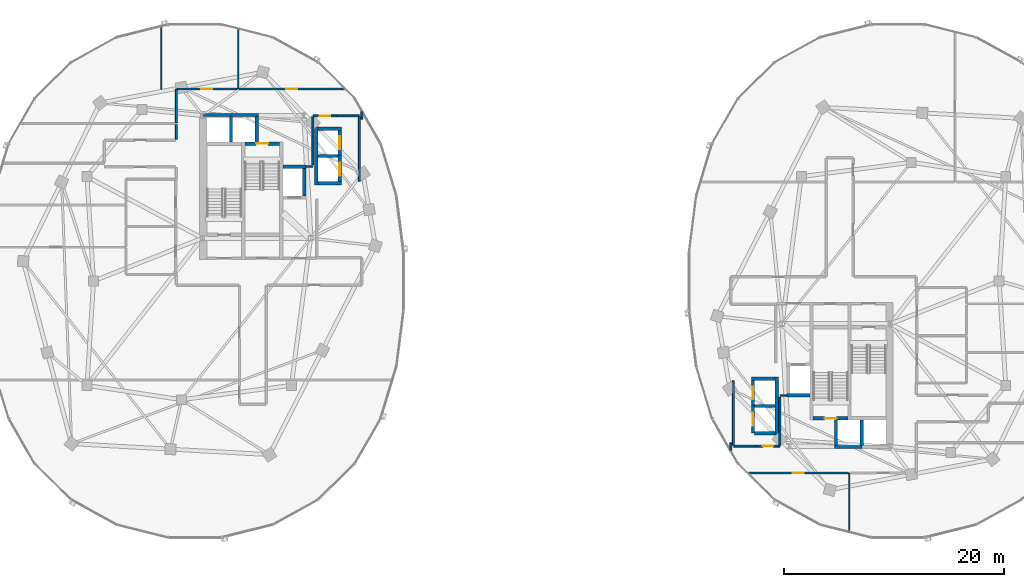
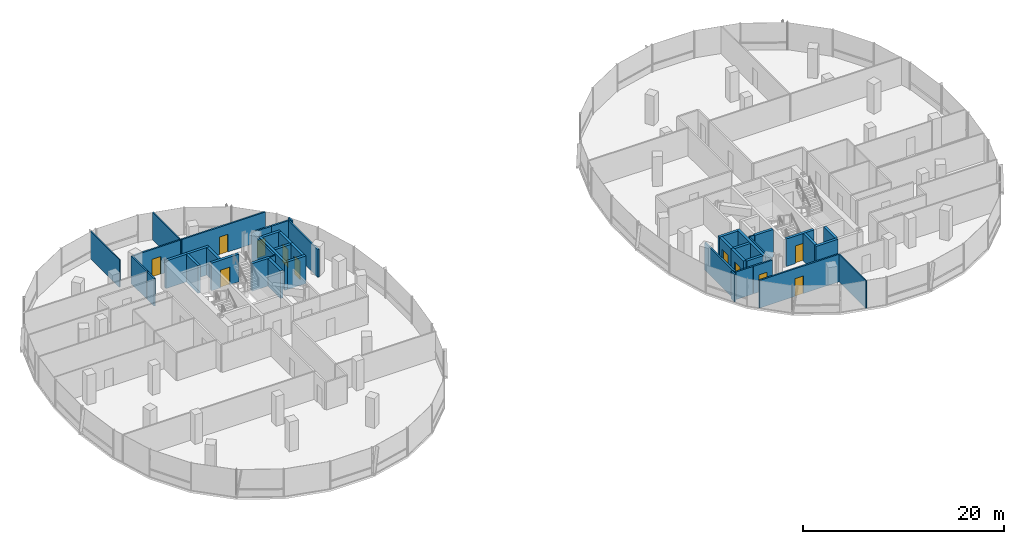
# One storey, part 13 of 22: 44 walls, 11 doors, 11 openings.
"""IFC4 building model written with IfcOpenShell, lengths in metres."""

from ifc_helpers import new_model, si_unit, direction, frame, frame_2d, origin, place, context, subcontext, project, spatial, rectangle, extrude, material, layer, layer_set, type_object, element, fill, save


model = new_model("IFC4")

# Units and contexts
model_context = context("Model", 3, precision=1e-05, world=origin(), true_north=direction((0.0, 1.0)))
body_context = subcontext(model_context, "Body", "Model", "MODEL_VIEW")
ifc_project = project(units=[si_unit("LENGTHUNIT", "METRE"), si_unit("AREAUNIT", "SQUARE_METRE"), si_unit("VOLUMEUNIT", "CUBIC_METRE"), si_unit("PLANEANGLEUNIT", "RADIAN"), si_unit("MASSUNIT", "GRAM", prefix="KILO"), si_unit("THERMODYNAMICTEMPERATUREUNIT", "KELVIN"), si_unit("POWERUNIT", "WATT")], contexts=[model_context])

# Site, building, storey
site_placement = place(None, origin())
site = spatial("IfcSite", under=ifc_project, at=site_placement, CompositionType="ELEMENT")
building_placement = place(site_placement, origin())
building = spatial("IfcBuilding", under=site, at=building_placement, Name="Cundina Bronze Exchange", CompositionType="ELEMENT")
storey_placement = place(building_placement, frame((0.0, 0.0, 147.60009765625)))
storey = spatial("IfcBuildingStorey", under=building, at=storey_placement, Name="L38", CompositionType="ELEMENT", Elevation=147.60009765625)

# Wall
ifc_material_1 = material(Name="Gypsum Fireboard Partition EI120")
ifc_layer_1 = layer(ifc_material_1, 0.179931640625, Name="Gypsum Fireboard Partition EI120")
ifc_layer_set_1 = layer_set([ifc_layer_1], Name="Gypsum Fireboard Partition EI120")
wall_type_1 = type_object("IfcWallType", Name="WL-COR-180", PredefinedType="PARTITIONING", material=ifc_layer_set_1)
wall_1_placement = place(storey_placement, frame((-17.02001953125, 9.070068359375, 0.0), z_axis=(0.0, 0.0, 1.0), x_axis=(0.0, 1.0, 0.0)))
element("IfcWall", 1, at=wall_1_placement, inside=storey, type_object=wall_type_1, Name="L38 Interior Partition 001", PredefinedType="PARTITIONING", context=body_context, shape_type="SweptSolid", body=[
    extrude(rectangle(XDim=5.85986328125, YDim=0.179931640625, at=frame_2d((2.929931640625, 0.0))), origin(), (0.0, 0.0, 1.0), 3.35986328125),
])

# Wall, opening, door
wall_2_placement = place(storey_placement, frame((-21.22998046875, 15.030029296875, 0.0), z_axis=(0.0, 0.0, 1.0), x_axis=(1.0, 0.0, 0.0)))
wall_2 = element("IfcWall", 2, at=wall_2_placement, inside=storey, type_object=wall_type_1, Name="L38 Interior Partition 002", PredefinedType="PARTITIONING", context=body_context, shape_type="SweptSolid", body=[
    extrude(rectangle(XDim=2.159912109375, YDim=0.179931640625, at=frame_2d((1.080078125, 0.0))), origin(), (0.0, 0.0, 1.0), 3.35986328125),
])
opening_1_placement = place(wall_2_placement, frame((0.60498046875, 0.0, 0.0)))
opening_1 = element("IfcOpeningElement", 3, at=opening_1_placement, cuts=wall_2, Name="Opening DW-01", PredefinedType="OPENING", context=body_context, shape_type="SweptSolid", body=[
    extrude(rectangle(XDim=0.949951171875, YDim=2.10009765625, at=frame_2d((0.47509765625, 1.050048828125))), frame((0.0, 0.099853515625, 0.0), z_axis=(0.0, -1.0, 0.0), x_axis=(1.0, 0.0, 0.0)), (0.0, 0.0, 1.0), 0.199951171875),
])
ifc_material_2 = material(Name="Solid Andean Oak Timber Grade A", Category="wood")
door_type_1 = type_object("IfcDoorType", Name="DR-WC-950", OperationType="NOTDEFINED", PredefinedType="DOOR", material=ifc_material_2)
door_1_placement = place(opening_1_placement, origin())
door_1 = element("IfcDoor", 4, at=door_1_placement, inside=storey, type_object=door_type_1, Name="L38 Interior Door 002", OperationType="SINGLE_SWING_LEFT", OverallHeight=2.10009765625, OverallWidth=0.949951171875, PredefinedType="DOOR", context=body_context, shape_type="SweptSolid", body=[
    extrude(rectangle(XDim=0.949951171875, YDim=2.10009765625, at=frame_2d((0.47509765625, 1.050048828125))), frame((0.0, 0.02490234375, 0.0), z_axis=(0.0, -1.0, 0.0), x_axis=(1.0, 0.0, 0.0)), (0.0, 0.0, 1.0), 0.050048828125),
])
fill(opening_1, door_1)

# Walls
wall_3_placement = place(storey_placement, frame((-19.030029296875, 15.030029296875, 0.0), z_axis=(0.0, 0.0, 1.0), x_axis=(1.0, 0.0, 0.0)))
element("IfcWall", 5, at=wall_3_placement, inside=storey, type_object=wall_type_1, Name="L38 Interior Partition 003", PredefinedType="PARTITIONING", context=body_context, shape_type="SweptSolid", body=[
    extrude(rectangle(XDim=1.989990234375, YDim=0.179931640625, at=frame_2d((0.9951171875, 0.0))), origin(), (0.0, 0.0, 1.0), 3.35986328125),
])
wall_4_placement = place(storey_placement, frame((-21.25, 10.570068359375, 0.0), z_axis=(0.0, 0.0, 1.0), x_axis=(0.0, 1.0, 0.0)))
element("IfcWall", 6, at=wall_4_placement, inside=storey, type_object=wall_type_1, Name="L38 Interior Partition 005", PredefinedType="PARTITIONING", context=body_context, shape_type="SweptSolid", body=[
    extrude(rectangle(XDim=4.35986328125, YDim=0.179931640625, at=frame_2d((2.179931640625, 0.0))), origin(), (0.0, 0.0, 1.0), 3.35986328125),
])
wall_5_placement = place(storey_placement, frame((-16.780029296875, 14.721435546875, 0.0), z_axis=(0.0, 0.0, 1.0), x_axis=(0.0, 1.0, 0.0)))
element("IfcWall", 7, at=wall_5_placement, inside=storey, type_object=wall_type_1, Name="L38 Interior Partition 033", PredefinedType="PARTITIONING", context=body_context, shape_type="SweptSolid", body=[
    extrude(rectangle(XDim=0.68359375, YDim=0.179931640625, at=frame_2d((0.341796875, 0.0))), origin(), (0.0, 0.0, 1.0), 3.35986328125),
])
wall_6_placement = place(storey_placement, frame((-33.669921875, 14.22998046875, 0.0), z_axis=(0.0, 0.0, 1.0), x_axis=(0.0, -1.0, 0.0)))
element("IfcWall", 8, at=wall_6_placement, inside=storey, type_object=wall_type_1, Name="L38 Interior Partition 038", PredefinedType="PARTITIONING", context=body_context, shape_type="SweptSolid", body=[
    extrude(rectangle(XDim=1.330078125, YDim=0.179931640625, at=frame_2d((0.6650390625, 0.0))), origin(), (0.0, 0.0, 1.0), 3.35986328125),
])

# Wall, opening, door
wall_7_placement = place(storey_placement, frame((-28.1298828125, 17.469970703125, 0.0), z_axis=(0.0, 0.0, 1.0), x_axis=(-1.0, 0.0, 0.0)))
wall_7 = element("IfcWall", 9, at=wall_7_placement, inside=storey, type_object=wall_type_1, Name="L38 Interior Partition 039", PredefinedType="PARTITIONING", context=body_context, shape_type="SweptSolid", body=[
    extrude(rectangle(XDim=5.49853515625, YDim=0.179931640625, at=frame_2d((2.749267578125, 0.0))), origin(), (0.0, 0.0, 1.0), 3.35986328125),
])
opening_2_placement = place(wall_7_placement, frame((2.249267578125, 0.0, 0.0)))
opening_2 = element("IfcOpeningElement", 10, at=opening_2_placement, cuts=wall_7, Name="Opening DO-01", PredefinedType="OPENING", context=body_context, shape_type="SweptSolid", body=[
    extrude(rectangle(XDim=1.0, YDim=2.14990234375, at=frame_2d((0.5, 1.074951171875))), frame((0.0, 0.099853515625, 0.0), z_axis=(0.0, -1.0, 0.0), x_axis=(1.0, 0.0, 0.0)), (0.0, 0.0, 1.0), 0.199951171875),
])
door_type_2 = type_object("IfcDoorType", Name="DR-OFF-1000", OperationType="NOTDEFINED", PredefinedType="DOOR", material=ifc_material_2)
door_2_placement = place(opening_2_placement, origin())
door_2 = element("IfcDoor", 11, at=door_2_placement, inside=storey, type_object=door_type_2, Name="L38 Interior Door 039", OperationType="SINGLE_SWING_RIGHT", OverallHeight=2.14990234375, OverallWidth=1.0, PredefinedType="DOOR", context=body_context, shape_type="SweptSolid", body=[
    extrude(rectangle(XDim=1.0, YDim=2.14990234375, at=frame_2d((0.5, 1.074951171875))), frame((0.0, 0.02490234375, 0.0), z_axis=(0.0, -1.0, 0.0), x_axis=(1.0, 0.0, 0.0)), (0.0, 0.0, 1.0), 0.050048828125),
])
fill(opening_2, door_2)

# Wall
wall_8_placement = place(storey_placement, frame((-33.669921875, 17.428466796875, 0.0), z_axis=(0.0, 0.0, 1.0), x_axis=(0.0, -1.0, 0.0)))
element("IfcWall", 12, at=wall_8_placement, inside=storey, type_object=wall_type_1, Name="L38 Interior Partition 040", PredefinedType="PARTITIONING", context=body_context, shape_type="SweptSolid", body=[
    extrude(rectangle(XDim=3.0185546875, YDim=0.179931640625, at=frame_2d((1.50927734375, 0.0))), origin(), (0.0, 0.0, 1.0), 3.35986328125),
])

# Wall, opening, door
wall_9_placement = place(storey_placement, frame((-18.341796875, 17.469970703125, 0.0), z_axis=(0.0, 0.0, 1.0), x_axis=(-1.0, 0.0, 0.0)))
wall_9 = element("IfcWall", 13, at=wall_9_placement, inside=storey, type_object=wall_type_1, Name="L38 Interior Partition 041", PredefinedType="PARTITIONING", context=body_context, shape_type="SweptSolid", body=[
    extrude(rectangle(XDim=9.608154296875, YDim=0.179931640625, at=frame_2d((4.80419921875, 0.0))), origin(), (0.0, 0.0, 1.0), 3.35986328125),
])
opening_3_placement = place(wall_9_placement, frame((4.30419921875, 0.0, 0.0)))
opening_3 = element("IfcOpeningElement", 14, at=opening_3_placement, cuts=wall_9, Name="Opening DO-01", PredefinedType="OPENING", context=body_context, shape_type="SweptSolid", body=[
    extrude(rectangle(XDim=1.0, YDim=2.14990234375, at=frame_2d((0.5, 1.074951171875))), frame((0.0, 0.099853515625, 0.0), z_axis=(0.0, -1.0, 0.0), x_axis=(1.0, 0.0, 0.0)), (0.0, 0.0, 1.0), 0.199951171875),
])
door_3_placement = place(opening_3_placement, origin())
door_3 = element("IfcDoor", 15, at=door_3_placement, inside=storey, type_object=door_type_2, Name="L38 Interior Door 041", OperationType="SINGLE_SWING_LEFT", OverallHeight=2.14990234375, OverallWidth=1.0, PredefinedType="DOOR", context=body_context, shape_type="SweptSolid", body=[
    extrude(rectangle(XDim=1.0, YDim=2.14990234375, at=frame_2d((0.5, 1.074951171875))), frame((0.0, 0.02490234375, 0.0), z_axis=(0.0, -1.0, 0.0), x_axis=(1.0, 0.0, 0.0)), (0.0, 0.0, 1.0), 0.050048828125),
])
fill(opening_3, door_3)

# Walls
wall_10_placement = place(storey_placement, frame((17.02001953125, -14.929931640625, 0.0), z_axis=(0.0, 0.0, 1.0), x_axis=(0.0, 1.0, 0.0)))
element("IfcWall", 16, at=wall_10_placement, inside=storey, type_object=wall_type_1, Name="L38 Interior Partition 043", PredefinedType="PARTITIONING", context=body_context, shape_type="SweptSolid", body=[
    extrude(rectangle(XDim=5.85986328125, YDim=0.179931640625, at=frame_2d((2.929931640625, 0.0))), origin(), (0.0, 0.0, 1.0), 3.35986328125),
])
wall_11_placement = place(storey_placement, frame((17.0400390625, -15.030029296875, 0.0), z_axis=(0.0, 0.0, 1.0), x_axis=(1.0, 0.0, 0.0)))
element("IfcWall", 17, at=wall_11_placement, inside=storey, type_object=wall_type_1, Name="L38 Interior Partition 044", PredefinedType="PARTITIONING", context=body_context, shape_type="SweptSolid", body=[
    extrude(rectangle(XDim=1.989990234375, YDim=0.179931640625, at=frame_2d((0.9951171875, 0.0))), origin(), (0.0, 0.0, 1.0), 3.35986328125),
])

# Wall, opening, door
wall_12_placement = place(storey_placement, frame((21.22998046875, -15.030029296875, 0.0), z_axis=(0.0, 0.0, 1.0), x_axis=(-1.0, 0.0, 0.0)))
wall_12 = element("IfcWall", 18, at=wall_12_placement, inside=storey, type_object=wall_type_1, Name="L38 Interior Partition 045", PredefinedType="PARTITIONING", context=body_context, shape_type="SweptSolid", body=[
    extrude(rectangle(XDim=2.159912109375, YDim=0.179931640625, at=frame_2d((1.080078125, 0.0))), origin(), (0.0, 0.0, 1.0), 3.35986328125),
])
opening_4_placement = place(wall_12_placement, frame((0.60498046875, 0.0, 0.0)))
opening_4 = element("IfcOpeningElement", 19, at=opening_4_placement, cuts=wall_12, Name="Opening DW-01", PredefinedType="OPENING", context=body_context, shape_type="SweptSolid", body=[
    extrude(rectangle(XDim=0.949951171875, YDim=2.10009765625, at=frame_2d((0.47509765625, 1.050048828125))), frame((0.0, 0.099853515625, 0.0), z_axis=(0.0, -1.0, 0.0), x_axis=(1.0, 0.0, 0.0)), (0.0, 0.0, 1.0), 0.199951171875),
])
door_4_placement = place(opening_4_placement, origin())
door_4 = element("IfcDoor", 20, at=door_4_placement, inside=storey, type_object=door_type_1, Name="L38 Interior Door 045", OperationType="SINGLE_SWING_RIGHT", OverallHeight=2.10009765625, OverallWidth=0.949951171875, PredefinedType="DOOR", context=body_context, shape_type="SweptSolid", body=[
    extrude(rectangle(XDim=0.949951171875, YDim=2.10009765625, at=frame_2d((0.47509765625, 1.050048828125))), frame((0.0, 0.02490234375, 0.0), z_axis=(0.0, -1.0, 0.0), x_axis=(1.0, 0.0, 0.0)), (0.0, 0.0, 1.0), 0.050048828125),
])
fill(opening_4, door_4)

# Wall
wall_13_placement = place(storey_placement, frame((21.25, -14.929931640625, 0.0), z_axis=(0.0, 0.0, 1.0), x_axis=(0.0, 1.0, 0.0)))
element("IfcWall", 21, at=wall_13_placement, inside=storey, type_object=wall_type_1, Name="L38 Interior Partition 047", PredefinedType="PARTITIONING", context=body_context, shape_type="SweptSolid", body=[
    extrude(rectangle(XDim=4.35986328125, YDim=0.179931640625, at=frame_2d((2.179931640625, 0.0))), origin(), (0.0, 0.0, 1.0), 3.35986328125),
])

# Wall, opening, door
wall_14_placement = place(storey_placement, frame((18.341796875, -17.469970703125, 0.0), z_axis=(0.0, 0.0, 1.0), x_axis=(1.0, 0.0, 0.0)))
wall_14 = element("IfcWall", 22, at=wall_14_placement, inside=storey, type_object=wall_type_1, Name="L38 Interior Partition 065", PredefinedType="PARTITIONING", context=body_context, shape_type="SweptSolid", body=[
    extrude(rectangle(XDim=9.128173828125, YDim=0.179931640625, at=frame_2d((4.56396484375, 0.0))), origin(), (0.0, 0.0, 1.0), 3.35986328125),
])
opening_5_placement = place(wall_14_placement, frame((4.064208984375, 0.0, 0.0)))
opening_5 = element("IfcOpeningElement", 23, at=opening_5_placement, cuts=wall_14, Name="Opening DO-01", PredefinedType="OPENING", context=body_context, shape_type="SweptSolid", body=[
    extrude(rectangle(XDim=1.0, YDim=2.14990234375, at=frame_2d((0.5, 1.074951171875))), frame((0.0, 0.099853515625, 0.0), z_axis=(0.0, -1.0, 0.0), x_axis=(1.0, 0.0, 0.0)), (0.0, 0.0, 1.0), 0.199951171875),
])
door_5_placement = place(opening_5_placement, origin())
door_5 = element("IfcDoor", 24, at=door_5_placement, inside=storey, type_object=door_type_2, Name="L38 Interior Door 065", OperationType="SINGLE_SWING_RIGHT", OverallHeight=2.14990234375, OverallWidth=1.0, PredefinedType="DOOR", context=body_context, shape_type="SweptSolid", body=[
    extrude(rectangle(XDim=1.0, YDim=2.14990234375, at=frame_2d((0.5, 1.074951171875))), frame((0.0, 0.02490234375, 0.0), z_axis=(0.0, -1.0, 0.0), x_axis=(1.0, 0.0, 0.0)), (0.0, 0.0, 1.0), 0.050048828125),
])
fill(opening_5, door_5)

# Walls
wall_15_placement = place(storey_placement, frame((16.780029296875, -14.721435546875, 0.0), z_axis=(0.0, 0.0, 1.0), x_axis=(0.0, -1.0, 0.0)))
element("IfcWall", 25, at=wall_15_placement, inside=storey, type_object=wall_type_1, Name="L38 Interior Partition 077", PredefinedType="PARTITIONING", context=body_context, shape_type="SweptSolid", body=[
    extrude(rectangle(XDim=0.68359375, YDim=0.179931640625, at=frame_2d((0.341796875, 0.0))), origin(), (0.0, 0.0, 1.0), 3.35986328125),
])
ifc_material_3 = material(Name="Gypsum Acoustic Partition EI60")
ifc_layer_2 = layer(ifc_material_3, 0.125, Name="Gypsum Acoustic Partition EI60")
ifc_layer_set_2 = layer_set([ifc_layer_2], Name="Gypsum Acoustic Partition EI60")
wall_type_2 = type_object("IfcWallType", Name="WL-OFF-125", PredefinedType="PARTITIONING", material=ifc_layer_set_2)
wall_16_placement = place(storey_placement, frame((-35.0400390625, 17.469970703125, 0.0), z_axis=(0.0, 0.0, 1.0), x_axis=(0.0, 1.0, 0.0)))
element("IfcWall", 26, at=wall_16_placement, inside=storey, type_object=wall_type_2, Name="L38 Interior Partition 021", PredefinedType="PARTITIONING", context=body_context, shape_type="SweptSolid", body=[
    extrude(rectangle(XDim=5.78173828125, YDim=0.125, at=frame_2d((2.890869140625, 0.0))), origin(), (0.0, 0.0, 1.0), 3.35986328125),
])
wall_17_placement = place(storey_placement, frame((-28.0400390625, 17.5, 0.0), z_axis=(0.0, 0.0, 1.0), x_axis=(0.0, 1.0, 0.0)))
element("IfcWall", 27, at=wall_17_placement, inside=storey, type_object=wall_type_2, Name="L38 Interior Partition 022", PredefinedType="PARTITIONING", context=body_context, shape_type="SweptSolid", body=[
    extrude(rectangle(XDim=5.521484375, YDim=0.125, at=frame_2d((2.7607421875, 0.0))), origin(), (0.0, 0.0, 1.0), 3.35986328125),
])
wall_18_placement = place(storey_placement, frame((27.56005859375, -22.9013671875, 0.0), z_axis=(0.0, 0.0, 1.0), x_axis=(0.0, 1.0, 0.0)))
element("IfcWall", 28, at=wall_18_placement, inside=storey, type_object=wall_type_2, Name="L38 Interior Partition 064", PredefinedType="PARTITIONING", context=body_context, shape_type="SweptSolid", body=[
    extrude(rectangle(XDim=5.4013671875, YDim=0.125, at=frame_2d((2.70068359375, 0.0))), origin(), (0.0, 0.0, 1.0), 3.35986328125),
])

# Wall, opening, door
ifc_material_4 = material(Name="Concrete C50/60", Category="concrete")
ifc_layer_3 = layer(ifc_material_4, 0.300048828125, Name="Concrete C50/60", Category="concrete")
ifc_layer_set_3 = layer_set([ifc_layer_3], Name="Concrete C50/60")
wall_type_3 = type_object("IfcWallType", Name="WL-SHFT-300", PredefinedType="SHEAR", material=ifc_layer_set_3)
wall_19_placement = place(storey_placement, frame((-27.43994140625, 12.5, 0.0), z_axis=(0.0, 0.0, 1.0), x_axis=(1.0, 0.0, 0.0)))
wall_19 = element("IfcWall", 29, at=wall_19_placement, inside=storey, type_object=wall_type_3, Name="L38 Stair W2 Landing Wall", PredefinedType="SHEAR", context=body_context, shape_type="SweptSolid", body=[
    extrude(rectangle(XDim=3.159912109375, YDim=0.300048828125, at=frame_2d((1.580078125, 0.0))), origin(), (0.0, 0.0, 1.0), 3.35986328125),
])
opening_6_placement = place(wall_19_placement, frame((1.030029296875, 0.0, 0.0)))
opening_6 = element("IfcOpeningElement", 30, at=opening_6_placement, cuts=wall_19, Name="Opening DS-01", PredefinedType="OPENING", context=body_context, shape_type="SweptSolid", body=[
    extrude(rectangle(XDim=1.10009765625, YDim=2.14990234375, at=frame_2d((0.550048828125, 1.074951171875))), frame((0.0, 0.159912109375, 0.0), z_axis=(0.0, -1.0, 0.0), x_axis=(1.0, 0.0, 0.0)), (0.0, 0.0, 1.0), 0.320068359375),
])
ifc_material_5 = material(Name="Steel ASTM A36 Painted", Category="steel")
door_type_3 = type_object("IfcDoorType", Name="DR-STR-1100", OperationType="NOTDEFINED", PredefinedType="DOOR", material=ifc_material_5)
door_6_placement = place(opening_6_placement, origin())
door_6 = element("IfcDoor", 31, at=door_6_placement, inside=storey, type_object=door_type_3, Name="L38 Smokeproof Stair W2 Door", OperationType="SINGLE_SWING_LEFT", OverallHeight=2.14990234375, OverallWidth=1.10009765625, PredefinedType="DOOR", context=body_context, shape_type="SweptSolid", body=[
    extrude(rectangle(XDim=1.10009765625, YDim=2.14990234375, at=frame_2d((0.550048828125, 1.074951171875))), frame((0.0, 0.02490234375, 0.0), z_axis=(0.0, -1.0, 0.0), x_axis=(1.0, 0.0, 0.0)), (0.0, 0.0, 1.0), 0.050048828125),
])
fill(opening_6, door_6)

# Walls
wall_20_placement = place(storey_placement, frame((-23.97998046875, 10.39990234375, 0.0), z_axis=(0.0, 0.0, 1.0), x_axis=(1.0, 0.0, 0.0)))
element("IfcWall", 32, at=wall_20_placement, inside=storey, type_object=wall_type_3, Name="L38 FFL-W Hoistway Back Wall", PredefinedType="SHEAR", context=body_context, shape_type="SweptSolid", body=[
    extrude(rectangle(XDim=2.10009765625, YDim=0.300048828125, at=frame_2d((1.050048828125, 0.0))), origin(), (0.0, 0.0, 1.0), 3.35986328125),
])
for number, where, z_axis, x_axis, name in (
    (33, (-22.030029296875, 7.75, 0.0), (0.0, 0.0, 1.0), (0.0, 1.0, 0.0), "L38 FFL-W Hoistway Side Wall"),
    (34, (-31.199951171875, 15.10009765625, 0.0), (0.0, 0.0, 1.0), (1.0, 0.0, 0.0), "L38 PH-W1 Hoistway Front Wall"),
):
    element("IfcWall", number, at=place(storey_placement, frame(where, z_axis=z_axis, x_axis=x_axis)), inside=storey, type_object=wall_type_3, Name=name, PredefinedType="SHEAR", context=body_context, shape_type="SweptSolid", body=[
        extrude(rectangle(XDim=2.5, YDim=0.300048828125, at=frame_2d((1.25, 0.0))), origin(), (0.0, 0.0, 1.0), 3.35986328125),
    ])
wall_21_placement = place(storey_placement, frame((-28.699951171875, 12.64990234375, 0.0), z_axis=(0.0, 0.0, 1.0), x_axis=(0.0, 1.0, 0.0)))
element("IfcWall", 35, at=wall_21_placement, inside=storey, type_object=wall_type_3, Name="L38 PH-W1 Hoistway Divider Wall", PredefinedType="SHEAR", context=body_context, shape_type="SweptSolid", body=[
    extrude(rectangle(XDim=2.300048828125, YDim=0.300048828125, at=frame_2d((1.14990234375, 0.0))), origin(), (0.0, 0.0, 1.0), 3.35986328125),
])
wall_22_placement = place(storey_placement, frame((-28.699951171875, 15.10009765625, 0.0), z_axis=(0.0, 0.0, 1.0), x_axis=(1.0, 0.0, 0.0)))
element("IfcWall", 36, at=wall_22_placement, inside=storey, type_object=wall_type_3, Name="L38 PH-W2 Hoistway Front Wall", PredefinedType="SHEAR", context=body_context, shape_type="SweptSolid", body=[
    extrude(rectangle(XDim=2.5, YDim=0.300048828125, at=frame_2d((1.25, 0.0))), origin(), (0.0, 0.0, 1.0), 3.35986328125),
])
wall_23_placement = place(storey_placement, frame((-26.35009765625, 12.64990234375, 0.0), z_axis=(0.0, 0.0, 1.0), x_axis=(0.0, 1.0, 0.0)))
element("IfcWall", 37, at=wall_23_placement, inside=storey, type_object=wall_type_3, Name="L38 PH-W2 Hoistway Divider Wall", PredefinedType="SHEAR", context=body_context, shape_type="SweptSolid", body=[
    extrude(rectangle(XDim=2.300048828125, YDim=0.300048828125, at=frame_2d((1.14990234375, 0.0))), origin(), (0.0, 0.0, 1.0), 3.35986328125),
])
wall_24_placement = place(storey_placement, frame((-20.949951171875, 8.75, 0.0), z_axis=(0.0, 0.0, 1.0), x_axis=(0.0, 1.0, 0.0)))
element("IfcWall", 38, at=wall_24_placement, inside=storey, type_object=wall_type_3, Name="L38 W Passenger Bank Hoistway Back Wall", PredefinedType="SHEAR", context=body_context, shape_type="SweptSolid", body=[
    extrude(rectangle(XDim=5.25, YDim=0.300048828125, at=frame_2d((2.625, 0.0))), origin(), (0.0, 0.0, 1.0), 3.35986328125),
])
for number, where, z_axis, x_axis, name in (
    (39, (-20.800048828125, 8.89990234375, 0.0), (0.0, 0.0, 1.0), (1.0, 0.0, 0.0), "L38 W Passenger Bank South Cap Wall"),
    (40, (-20.800048828125, 13.85009765625, 0.0), (0.0, 0.0, 1.0), (1.0, 0.0, 0.0), "L38 W Passenger Bank North Cap Wall"),
):
    element("IfcWall", number, at=place(storey_placement, frame(where, z_axis=z_axis, x_axis=x_axis)), inside=storey, type_object=wall_type_3, Name=name, PredefinedType="SHEAR", context=body_context, shape_type="SweptSolid", body=[
        extrude(rectangle(XDim=2.150146484375, YDim=0.300048828125, at=frame_2d((1.0751953125, 0.0))), origin(), (0.0, 0.0, 1.0), 3.35986328125),
    ])
wall_25_placement = place(storey_placement, frame((-20.800048828125, 11.375, 0.0), z_axis=(0.0, 0.0, 1.0), x_axis=(1.0, 0.0, 0.0)))
element("IfcWall", 41, at=wall_25_placement, inside=storey, type_object=wall_type_3, Name="L38 W Passenger Hoistway Divider 1", PredefinedType="SHEAR", context=body_context, shape_type="SweptSolid", body=[
    extrude(rectangle(XDim=1.85009765625, YDim=0.300048828125, at=frame_2d((0.925048828125, 0.0))), origin(), (0.0, 0.0, 1.0), 3.35986328125),
])

# Wall, opening, door
wall_26_placement = place(storey_placement, frame((-18.800048828125, 8.929931640625, 0.0), z_axis=(0.0, 0.0, 1.0), x_axis=(0.0, 1.0, 0.0)))
wall_26 = element("IfcWall", 42, at=wall_26_placement, inside=storey, type_object=wall_type_3, Name="L38 PM-W2 Hoistway Front Wall", PredefinedType="SHEAR", context=body_context, shape_type="SweptSolid", body=[
    extrude(rectangle(XDim=2.489990234375, YDim=0.300048828125, at=frame_2d((1.2451171875, 0.0))), origin(), (0.0, 0.0, 1.0), 3.35986328125),
])
opening_7_placement = place(wall_26_placement, frame((0.669921875, 0.0, 0.0)))
opening_7 = element("IfcOpeningElement", 43, at=opening_7_placement, cuts=wall_26, Name="Opening LD-01", PredefinedType="OPENING", context=body_context, shape_type="SweptSolid", body=[
    extrude(rectangle(XDim=1.14990234375, YDim=2.199951171875, at=frame_2d((0.574951171875, 1.10009765625))), frame((0.0, 0.159912109375, 0.0), z_axis=(0.0, -1.0, 0.0), x_axis=(1.0, 0.0, 0.0)), (0.0, 0.0, 1.0), 0.320068359375),
])
door_type_4 = type_object("IfcDoorType", Name="DR-LND-1150", OperationType="NOTDEFINED", PredefinedType="TRAPDOOR", material=ifc_material_5)
door_7_placement = place(opening_7_placement, origin())
door_7 = element("IfcDoor", 44, at=door_7_placement, inside=storey, type_object=door_type_4, Name="L38 PM-W2 Sliding Landing Door", OperationType="SLIDING_TO_LEFT", OverallHeight=2.199951171875, OverallWidth=1.14990234375, PredefinedType="TRAPDOOR", context=body_context, shape_type="SweptSolid", body=[
    extrude(rectangle(XDim=1.14990234375, YDim=2.199951171875, at=frame_2d((0.574951171875, 1.10009765625))), frame((0.0, 0.02490234375, 0.0), z_axis=(0.0, -1.0, 0.0), x_axis=(1.0, 0.0, 0.0)), (0.0, 0.0, 1.0), 0.050048828125),
])
fill(opening_7, door_7)

wall_27_placement = place(storey_placement, frame((-18.800048828125, 11.330078125, 0.0), z_axis=(0.0, 0.0, 1.0), x_axis=(0.0, 1.0, 0.0)))
wall_27 = element("IfcWall", 45, at=wall_27_placement, inside=storey, type_object=wall_type_3, Name="L38 PM-W1 Hoistway Front Wall", PredefinedType="SHEAR", context=body_context, shape_type="SweptSolid", body=[
    extrude(rectangle(XDim=2.489990234375, YDim=0.300048828125, at=frame_2d((1.2451171875, 0.0))), origin(), (0.0, 0.0, 1.0), 3.35986328125),
])
opening_8_placement = place(wall_27_placement, frame((0.669921875, 0.0, 0.0)))
opening_8 = element("IfcOpeningElement", 46, at=opening_8_placement, cuts=wall_27, Name="Opening LD-01", PredefinedType="OPENING", context=body_context, shape_type="SweptSolid", body=[
    extrude(rectangle(XDim=1.14990234375, YDim=2.199951171875, at=frame_2d((0.574951171875, 1.10009765625))), frame((0.0, 0.159912109375, 0.0), z_axis=(0.0, -1.0, 0.0), x_axis=(1.0, 0.0, 0.0)), (0.0, 0.0, 1.0), 0.320068359375),
])
door_8_placement = place(opening_8_placement, origin())
door_8 = element("IfcDoor", 47, at=door_8_placement, inside=storey, type_object=door_type_4, Name="L38 PM-W1 Sliding Landing Door", OperationType="SLIDING_TO_LEFT", OverallHeight=2.199951171875, OverallWidth=1.14990234375, PredefinedType="TRAPDOOR", context=body_context, shape_type="SweptSolid", body=[
    extrude(rectangle(XDim=1.14990234375, YDim=2.199951171875, at=frame_2d((0.574951171875, 1.10009765625))), frame((0.0, 0.02490234375, 0.0), z_axis=(0.0, -1.0, 0.0), x_axis=(1.0, 0.0, 0.0)), (0.0, 0.0, 1.0), 0.050048828125),
])
fill(opening_8, door_8)

wall_28_placement = place(storey_placement, frame((24.280029296875, -12.5, 0.0), z_axis=(0.0, 0.0, 1.0), x_axis=(1.0, 0.0, 0.0)))
wall_28 = element("IfcWall", 48, at=wall_28_placement, inside=storey, type_object=wall_type_3, Name="L38 Stair E2 Landing Wall", PredefinedType="SHEAR", context=body_context, shape_type="SweptSolid", body=[
    extrude(rectangle(XDim=3.159912109375, YDim=0.300048828125, at=frame_2d((1.580078125, 0.0))), origin(), (0.0, 0.0, 1.0), 3.35986328125),
])
opening_9_placement = place(wall_28_placement, frame((1.030029296875, 0.0, 0.0)))
opening_9 = element("IfcOpeningElement", 49, at=opening_9_placement, cuts=wall_28, Name="Opening DS-01", PredefinedType="OPENING", context=body_context, shape_type="SweptSolid", body=[
    extrude(rectangle(XDim=1.10009765625, YDim=2.14990234375, at=frame_2d((0.550048828125, 1.074951171875))), frame((0.0, 0.159912109375, 0.0), z_axis=(0.0, -1.0, 0.0), x_axis=(1.0, 0.0, 0.0)), (0.0, 0.0, 1.0), 0.320068359375),
])
door_9_placement = place(opening_9_placement, origin())
door_9 = element("IfcDoor", 50, at=door_9_placement, inside=storey, type_object=door_type_3, Name="L38 Smokeproof Stair E2 Door", OperationType="SINGLE_SWING_RIGHT", OverallHeight=2.14990234375, OverallWidth=1.10009765625, PredefinedType="DOOR", context=body_context, shape_type="SweptSolid", body=[
    extrude(rectangle(XDim=1.10009765625, YDim=2.14990234375, at=frame_2d((0.550048828125, 1.074951171875))), frame((0.0, 0.02490234375, 0.0), z_axis=(0.0, -1.0, 0.0), x_axis=(1.0, 0.0, 0.0)), (0.0, 0.0, 1.0), 0.050048828125),
])
fill(opening_9, door_9)

# Walls
wall_29_placement = place(storey_placement, frame((21.8798828125, -10.39990234375, 0.0), z_axis=(0.0, 0.0, 1.0), x_axis=(1.0, 0.0, 0.0)))
element("IfcWall", 51, at=wall_29_placement, inside=storey, type_object=wall_type_3, Name="L38 FFL-E Hoistway Back Wall", PredefinedType="SHEAR", context=body_context, shape_type="SweptSolid", body=[
    extrude(rectangle(XDim=2.10009765625, YDim=0.300048828125, at=frame_2d((1.050048828125, 0.0))), origin(), (0.0, 0.0, 1.0), 3.35986328125),
])
wall_30_placement = place(storey_placement, frame((28.699951171875, -14.949951171875, 0.0), z_axis=(0.0, 0.0, 1.0), x_axis=(0.0, 1.0, 0.0)))
element("IfcWall", 52, at=wall_30_placement, inside=storey, type_object=wall_type_3, Name="L38 PH-E1 Hoistway Divider Wall", PredefinedType="SHEAR", context=body_context, shape_type="SweptSolid", body=[
    extrude(rectangle(XDim=2.300048828125, YDim=0.300048828125, at=frame_2d((1.14990234375, 0.0))), origin(), (0.0, 0.0, 1.0), 3.35986328125),
])
wall_31_placement = place(storey_placement, frame((26.199951171875, -15.10009765625, 0.0), z_axis=(0.0, 0.0, 1.0), x_axis=(1.0, 0.0, 0.0)))
element("IfcWall", 53, at=wall_31_placement, inside=storey, type_object=wall_type_3, Name="L38 PH-E2 Hoistway Front Wall", PredefinedType="SHEAR", context=body_context, shape_type="SweptSolid", body=[
    extrude(rectangle(XDim=2.5, YDim=0.300048828125, at=frame_2d((1.25, 0.0))), origin(), (0.0, 0.0, 1.0), 3.35986328125),
])
wall_32_placement = place(storey_placement, frame((26.35009765625, -14.949951171875, 0.0), z_axis=(0.0, 0.0, 1.0), x_axis=(0.0, 1.0, 0.0)))
element("IfcWall", 54, at=wall_32_placement, inside=storey, type_object=wall_type_3, Name="L38 PH-E2 Hoistway Divider Wall", PredefinedType="SHEAR", context=body_context, shape_type="SweptSolid", body=[
    extrude(rectangle(XDim=2.300048828125, YDim=0.300048828125, at=frame_2d((1.14990234375, 0.0))), origin(), (0.0, 0.0, 1.0), 3.35986328125),
])
wall_33_placement = place(storey_placement, frame((20.949951171875, -14.0, 0.0), z_axis=(0.0, 0.0, 1.0), x_axis=(0.0, 1.0, 0.0)))
element("IfcWall", 55, at=wall_33_placement, inside=storey, type_object=wall_type_3, Name="L38 E Passenger Bank Hoistway Back Wall", PredefinedType="SHEAR", context=body_context, shape_type="SweptSolid", body=[
    extrude(rectangle(XDim=5.25, YDim=0.300048828125, at=frame_2d((2.625, 0.0))), origin(), (0.0, 0.0, 1.0), 3.35986328125),
])
wall_34_placement = place(storey_placement, frame((18.949951171875, -13.85009765625, 0.0), z_axis=(0.0, 0.0, 1.0), x_axis=(1.0, 0.0, 0.0)))
element("IfcWall", 56, at=wall_34_placement, inside=storey, type_object=wall_type_3, Name="L38 E Passenger Bank South Cap Wall", PredefinedType="SHEAR", context=body_context, shape_type="SweptSolid", body=[
    extrude(rectangle(XDim=1.85009765625, YDim=0.300048828125, at=frame_2d((0.925048828125, 0.0))), origin(), (0.0, 0.0, 1.0), 3.35986328125),
])
wall_35_placement = place(storey_placement, frame((18.64990234375, -8.89990234375, 0.0), z_axis=(0.0, 0.0, 1.0), x_axis=(1.0, 0.0, 0.0)))
element("IfcWall", 57, at=wall_35_placement, inside=storey, type_object=wall_type_3, Name="L38 E Passenger Bank North Cap Wall", PredefinedType="SHEAR", context=body_context, shape_type="SweptSolid", body=[
    extrude(rectangle(XDim=2.150146484375, YDim=0.300048828125, at=frame_2d((1.0751953125, 0.0))), origin(), (0.0, 0.0, 1.0), 3.35986328125),
])
wall_36_placement = place(storey_placement, frame((18.949951171875, -11.375, 0.0), z_axis=(0.0, 0.0, 1.0), x_axis=(1.0, 0.0, 0.0)))
element("IfcWall", 58, at=wall_36_placement, inside=storey, type_object=wall_type_3, Name="L38 E Passenger Hoistway Divider 1", PredefinedType="SHEAR", context=body_context, shape_type="SweptSolid", body=[
    extrude(rectangle(XDim=1.85009765625, YDim=0.300048828125, at=frame_2d((0.925048828125, 0.0))), origin(), (0.0, 0.0, 1.0), 3.35986328125),
])

# Wall, opening, door
wall_37_placement = place(storey_placement, frame((18.800048828125, -13.820068359375, 0.0), z_axis=(0.0, 0.0, 1.0), x_axis=(0.0, 1.0, 0.0)))
wall_37 = element("IfcWall", 59, at=wall_37_placement, inside=storey, type_object=wall_type_3, Name="L38 PM-E1 Hoistway Front Wall", PredefinedType="SHEAR", context=body_context, shape_type="SweptSolid", body=[
    extrude(rectangle(XDim=2.489990234375, YDim=0.300048828125, at=frame_2d((1.2451171875, 0.0))), origin(), (0.0, 0.0, 1.0), 3.35986328125),
])
opening_10_placement = place(wall_37_placement, frame((0.669921875, 0.0, 0.0)))
opening_10 = element("IfcOpeningElement", 60, at=opening_10_placement, cuts=wall_37, Name="Opening LD-01", PredefinedType="OPENING", context=body_context, shape_type="SweptSolid", body=[
    extrude(rectangle(XDim=1.14990234375, YDim=2.199951171875, at=frame_2d((0.574951171875, 1.10009765625))), frame((0.0, 0.159912109375, 0.0), z_axis=(0.0, -1.0, 0.0), x_axis=(1.0, 0.0, 0.0)), (0.0, 0.0, 1.0), 0.320068359375),
])
door_10_placement = place(opening_10_placement, origin())
door_10 = element("IfcDoor", 61, at=door_10_placement, inside=storey, type_object=door_type_4, Name="L38 PM-E1 Sliding Landing Door", OperationType="SLIDING_TO_LEFT", OverallHeight=2.199951171875, OverallWidth=1.14990234375, PredefinedType="TRAPDOOR", context=body_context, shape_type="SweptSolid", body=[
    extrude(rectangle(XDim=1.14990234375, YDim=2.199951171875, at=frame_2d((0.574951171875, 1.10009765625))), frame((0.0, 0.02490234375, 0.0), z_axis=(0.0, -1.0, 0.0), x_axis=(1.0, 0.0, 0.0)), (0.0, 0.0, 1.0), 0.050048828125),
])
fill(opening_10, door_10)

wall_38_placement = place(storey_placement, frame((18.800048828125, -11.419921875, 0.0), z_axis=(0.0, 0.0, 1.0), x_axis=(0.0, 1.0, 0.0)))
wall_38 = element("IfcWall", 62, at=wall_38_placement, inside=storey, type_object=wall_type_3, Name="L38 PM-E2 Hoistway Front Wall", PredefinedType="SHEAR", context=body_context, shape_type="SweptSolid", body=[
    extrude(rectangle(XDim=2.489990234375, YDim=0.300048828125, at=frame_2d((1.2451171875, 0.0))), origin(), (0.0, 0.0, 1.0), 3.35986328125),
])
opening_11_placement = place(wall_38_placement, frame((0.669921875, 0.0, 0.0)))
opening_11 = element("IfcOpeningElement", 63, at=opening_11_placement, cuts=wall_38, Name="Opening LD-01", PredefinedType="OPENING", context=body_context, shape_type="SweptSolid", body=[
    extrude(rectangle(XDim=1.14990234375, YDim=2.199951171875, at=frame_2d((0.574951171875, 1.10009765625))), frame((0.0, 0.159912109375, 0.0), z_axis=(0.0, -1.0, 0.0), x_axis=(1.0, 0.0, 0.0)), (0.0, 0.0, 1.0), 0.320068359375),
])
door_11_placement = place(opening_11_placement, origin())
door_11 = element("IfcDoor", 64, at=door_11_placement, inside=storey, type_object=door_type_4, Name="L38 PM-E2 Sliding Landing Door", OperationType="SLIDING_TO_LEFT", OverallHeight=2.199951171875, OverallWidth=1.14990234375, PredefinedType="TRAPDOOR", context=body_context, shape_type="SweptSolid", body=[
    extrude(rectangle(XDim=1.14990234375, YDim=2.199951171875, at=frame_2d((0.574951171875, 1.10009765625))), frame((0.0, 0.02490234375, 0.0), z_axis=(0.0, -1.0, 0.0), x_axis=(1.0, 0.0, 0.0)), (0.0, 0.0, 1.0), 0.050048828125),
])
fill(opening_11, door_11)

# Walls
ifc_material_6 = material(Name="Moisture-Resistant Masonry Block Grade M15", Category="masonry")
ifc_layer_4 = layer(ifc_material_6, 0.139892578125, Name="Moisture-Resistant Masonry Block Grade M15", Category="masonry")
ifc_layer_set_4 = layer_set([ifc_layer_4], Name="Moisture-Resistant Masonry Block Grade M15")
wall_type_4 = type_object("IfcWallType", Name="WL-WET-140", PredefinedType="PARTITIONING", material=ifc_layer_set_4)
for number, where, z_axis, x_axis, name in (
    (65, (-21.860107421875, 10.39990234375, 0.0), (0.0, 0.0, 1.0), (1.0, 0.0, 0.0), "L38 Interior Partition 004"),
    (66, (21.27001953125, -10.39990234375, 0.0), (0.0, 0.0, 1.0), (1.0, 0.0, 0.0), "L38 Interior Partition 046"),
):
    element("IfcWall", number, at=place(storey_placement, frame(where, z_axis=z_axis, x_axis=x_axis)), inside=storey, type_object=wall_type_4, Name=name, PredefinedType="PARTITIONING", context=body_context, shape_type="SweptSolid", body=[
        extrude(rectangle(XDim=0.590087890625, YDim=0.139892578125, at=frame_2d((0.294921875, 0.0))), origin(), (0.0, 0.0, 1.0), 3.35986328125),
    ])

save(model, "model.ifc")
